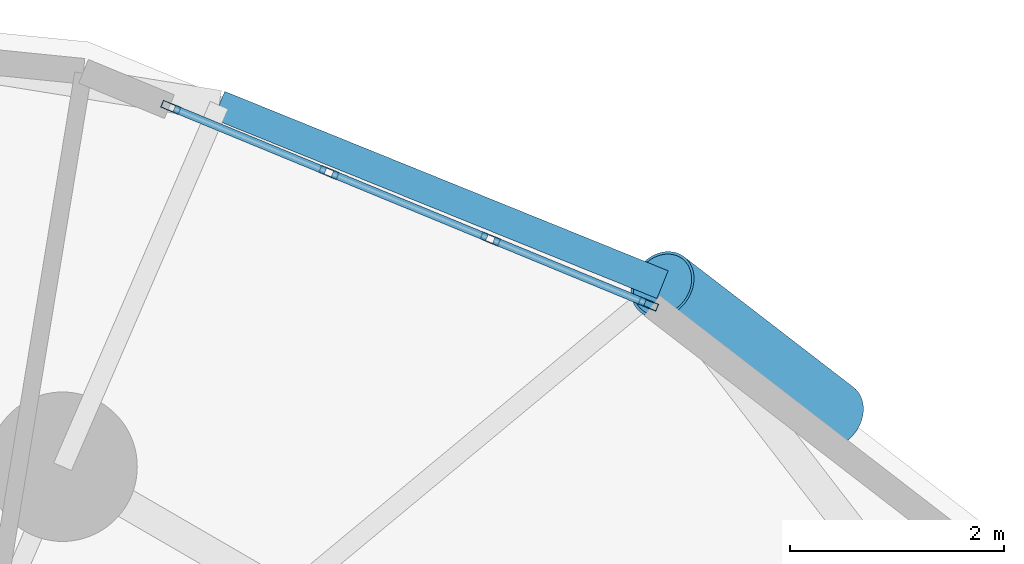
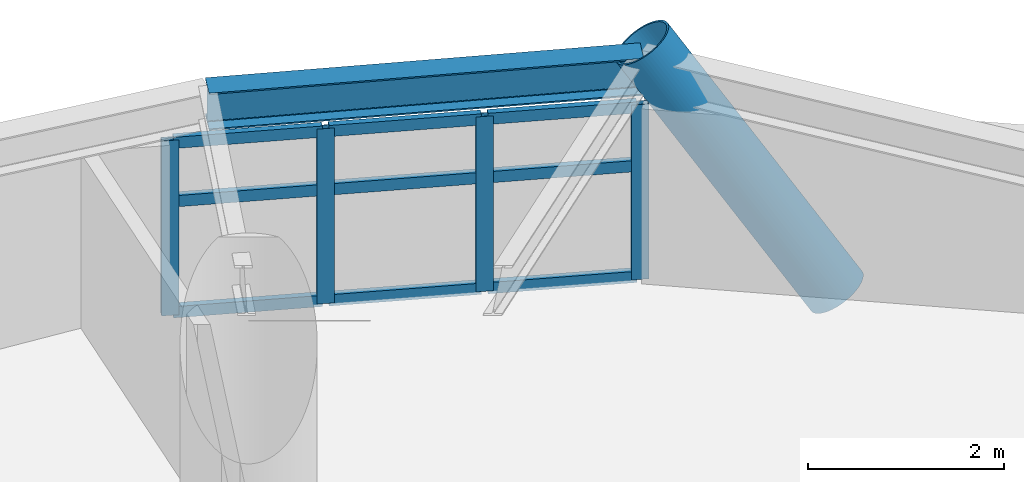
# One storey, part 7 of 17: 14 members, 1 beam, 1 element without a shape of its own.
"""IFC4 building model written with IfcOpenShell, lengths in metres."""

from ifc_helpers import new_model, si_unit, direction, frame, origin, origin_2d, place, context, subcontext, project, spatial, hollow_rectangle, hollow_circle, i_section, extrude, material, layer, layer_set, material_profile, profile_set, type_object, element, aggregate, save


model = new_model("IFC4")

# Units and contexts
model_context = context("Model", 3, precision=1e-05, world=origin(), true_north=direction((0.0, 1.0)))
body_context = subcontext(model_context, "Body", "Model", "MODEL_VIEW")
ifc_project = project(units=[si_unit("LENGTHUNIT", "METRE"), si_unit("AREAUNIT", "SQUARE_METRE"), si_unit("VOLUMEUNIT", "CUBIC_METRE"), si_unit("PLANEANGLEUNIT", "RADIAN"), si_unit("MASSUNIT", "GRAM", prefix="KILO")], contexts=[model_context])

# Site, building, storey
site_placement = place(None, origin())
site = spatial("IfcSite", under=ifc_project, at=site_placement, CompositionType="ELEMENT")
building_placement = place(site_placement, origin())
building = spatial("IfcBuilding", under=site, at=building_placement, Name="Cununo Teusaquillo Station Towers", CompositionType="ELEMENT")
storey_placement = place(building_placement, frame((0.0, 0.0, 81.7900390625)))
storey = spatial("IfcBuildingStorey", under=building, at=storey_placement, Name="L25", CompositionType="ELEMENT", Elevation=81.7900390625)

# Beam
ifc_material_1 = material(Name="Steel ASTM A572 Grade 50", Category="steel")
ifc_material_profile_1 = material_profile(ifc_material_1, i_section(OverallWidth=0.280029296875, OverallDepth=0.462890625, WebThickness=0.0107421875, FlangeThickness=0.017333984375, FilletRadius=0.013916015625, at=origin_2d()), Name="W18X76")
ifc_profile_set_1 = profile_set([ifc_material_profile_1], Name="Steel ASTM A572 Grade 50")
beam_type = type_object("IfcBeamType", Name="BM-RING-Z2", PredefinedType="SPANDREL", material=ifc_profile_set_1)
beam_placement = place(storey_placement, frame((63.9111328125, 39.341064453125, 2.4384765625), z_axis=(-0.927007712072, 0.375042266631, 0.0), x_axis=(-0.375042266631, -0.927007712072, 0.0)))
element("IfcBeam", 1, at=beam_placement, inside=storey, type_object=beam_type, Name="L25 Tower B Spandrel Ring Beam 02", PredefinedType="SPANDREL", context=body_context, shape_type="SweptSolid", body=[
    extrude(i_section(OverallWidth=0.280029296875, OverallDepth=0.462890625, WebThickness=0.0107421875, FlangeThickness=0.017333984375, FilletRadius=0.013916015625, at=origin_2d()), origin(), (0.0, 0.0, 1.0), 4.480712890625),
])

# Curtain wall, members
ifc_material_2 = material(Name="Ceramic-fritted dark low-E double glazing", Category="glass")
ifc_layer = layer(ifc_material_2, 0.179931640625)
ifc_layer_set = layer_set([ifc_layer], Name="Ceramic-fritted dark low-E double glazing")
curtain_wall_type = type_object("IfcCurtainWallType", Name="CW-SYS-04", PredefinedType="USERDEFINED", material=ifc_layer_set)
curtain_wall_placement = place(storey_placement, origin())
curtain_wall = element("IfcCurtainWall", 2, at=curtain_wall_placement, inside=storey, type_object=curtain_wall_type, Name="L25 Tower B Facade Curtain Wall C01", ObjectType="FRITTED GLAZING", PredefinedType="USERDEFINED")
ifc_material_3 = material(Name="Anodised dark bronze aluminium EN AW-6063-T6", Category="aluminium")
ifc_material_profile_2 = material_profile(ifc_material_3, hollow_rectangle(XDim=0.070068359375, YDim=0.179931640625, WallThickness=0.00390625, at=origin_2d()), Name="CW-MULL-70x180")
ifc_profile_set_2 = profile_set([ifc_material_profile_2], Name="Anodised dark bronze aluminium EN AW-6063-T6")
member_type_1 = type_object("IfcMemberType", Name="CWM-180", PredefinedType="MULLION", material=ifc_profile_set_2)
member_1_placement = place(storey_placement, frame((59.3056640625, 41.001953125, 0.0), z_axis=(0.0, 0.0, 1.0), x_axis=(0.381030560176, 0.924562443652, 0.0)))
member_1 = element("IfcMember", 3, at=member_1_placement, type_object=member_type_1, Name="CW-04 mullion 1", PredefinedType="MULLION", context=body_context, shape_type="SweptSolid", body=[
    extrude(hollow_rectangle(XDim=0.070068359375, YDim=0.179931640625, WallThickness=0.00390625, at=origin_2d()), origin(), (0.0, 0.0, 1.0), 2.178955078125),
])
member_2_placement = place(storey_placement, frame((60.785888671875, 40.39208984375, 0.0), z_axis=(0.0, 0.0, 1.0), x_axis=(0.381030560176, 0.924562443652, 0.0)))
member_2 = element("IfcMember", 4, at=member_2_placement, type_object=member_type_1, Name="CW-04 mullion 2", PredefinedType="MULLION", context=body_context, shape_type="SweptSolid", body=[
    extrude(hollow_rectangle(XDim=0.070068359375, YDim=0.179931640625, WallThickness=0.00390625, at=origin_2d()), origin(), (0.0, 0.0, 1.0), 2.178955078125),
])
member_3_placement = place(storey_placement, frame((62.298583984375, 39.7685546875, 0.0), z_axis=(0.0, 0.0, 1.0), x_axis=(0.381030560176, 0.924562443652, 0.0)))
member_3 = element("IfcMember", 5, at=member_3_placement, type_object=member_type_1, Name="CW-04 mullion 3", PredefinedType="MULLION", context=body_context, shape_type="SweptSolid", body=[
    extrude(hollow_rectangle(XDim=0.070068359375, YDim=0.179931640625, WallThickness=0.00390625, at=origin_2d()), origin(), (0.0, 0.0, 1.0), 2.178955078125),
])
member_4_placement = place(storey_placement, frame((63.77880859375, 39.158447265625, 0.0), z_axis=(0.0, 0.0, 1.0), x_axis=(0.381030560176, 0.924562443652, 0.0)))
member_4 = element("IfcMember", 6, at=member_4_placement, type_object=member_type_1, Name="CW-04 mullion 4", PredefinedType="MULLION", context=body_context, shape_type="SweptSolid", body=[
    extrude(hollow_rectangle(XDim=0.070068359375, YDim=0.179931640625, WallThickness=0.00390625, at=origin_2d()), origin(), (0.0, 0.0, 1.0), 2.178955078125),
])
ifc_material_4 = material(Name="Anodised dark bronze aluminium EN AW-6063-T6", Category="aluminium")
ifc_material_profile_3 = material_profile(ifc_material_4, hollow_rectangle(XDim=0.070068359375, YDim=0.139892578125, WallThickness=0.00390625, at=origin_2d()), Name="CW-TRAN-70x140")
ifc_profile_set_3 = profile_set([ifc_material_profile_3], Name="Anodised dark bronze aluminium EN AW-6063-T6")
member_type_2 = type_object("IfcMemberType", Name="CWT-140", PredefinedType="USERDEFINED", material=ifc_profile_set_3)
member_5_placement = place(storey_placement, frame((59.337890625, 40.98876953125, 0.034912109375), z_axis=(0.924532726965, -0.381102659097, 0.0), x_axis=(0.381102659097, 0.924532726965, 0.0)))
member_5 = element("IfcMember", 7, at=member_5_placement, type_object=member_type_2, Name="CW-04 transom 1.1", ObjectType="TRANSOM", PredefinedType="USERDEFINED", context=body_context, shape_type="SweptSolid", body=[
    extrude(hollow_rectangle(XDim=0.070068359375, YDim=0.139892578125, WallThickness=0.00390625, at=origin_2d()), origin(), (0.0, 0.0, 1.0), 1.531005859375),
])
member_6_placement = place(storey_placement, frame((59.337890625, 40.98876953125, 1.416015625), z_axis=(0.924532726965, -0.381102659097, 0.0), x_axis=(0.381102659097, 0.924532726965, 0.0)))
member_6 = element("IfcMember", 8, at=member_6_placement, type_object=member_type_2, Name="CW-04 transom 1.2", ObjectType="TRANSOM", PredefinedType="USERDEFINED", context=body_context, shape_type="SweptSolid", body=[
    extrude(hollow_rectangle(XDim=0.070068359375, YDim=0.139892578125, WallThickness=0.00390625, at=origin_2d()), origin(), (0.0, 0.0, 1.0), 1.531005859375),
])
member_7_placement = place(storey_placement, frame((59.337890625, 40.98876953125, 2.14404296875), z_axis=(0.924532726965, -0.381102659097, 0.0), x_axis=(0.381102659097, 0.924532726965, 0.0)))
member_7 = element("IfcMember", 9, at=member_7_placement, type_object=member_type_2, Name="CW-04 transom 1.3", ObjectType="TRANSOM", PredefinedType="USERDEFINED", context=body_context, shape_type="SweptSolid", body=[
    extrude(hollow_rectangle(XDim=0.070068359375, YDim=0.139892578125, WallThickness=0.00390625, at=origin_2d()), origin(), (0.0, 0.0, 1.0), 1.531005859375),
])
member_8_placement = place(storey_placement, frame((60.818115234375, 40.378662109375, 0.034912109375), z_axis=(0.924577983912, -0.380992849887, 0.0), x_axis=(0.380992849887, 0.924577983912, 0.0)))
member_8 = element("IfcMember", 10, at=member_8_placement, type_object=member_type_2, Name="CW-04 transom 2.1", ObjectType="TRANSOM", PredefinedType="USERDEFINED", context=body_context, shape_type="SweptSolid", body=[
    extrude(hollow_rectangle(XDim=0.070068359375, YDim=0.139892578125, WallThickness=0.00390625, at=origin_2d()), origin(), (0.0, 0.0, 1.0), 1.566162109375),
])
member_9_placement = place(storey_placement, frame((60.818115234375, 40.378662109375, 1.416015625), z_axis=(0.924577983912, -0.380992849887, 0.0), x_axis=(0.380992849887, 0.924577983912, 0.0)))
member_9 = element("IfcMember", 11, at=member_9_placement, type_object=member_type_2, Name="CW-04 transom 2.2", ObjectType="TRANSOM", PredefinedType="USERDEFINED", context=body_context, shape_type="SweptSolid", body=[
    extrude(hollow_rectangle(XDim=0.070068359375, YDim=0.139892578125, WallThickness=0.00390625, at=origin_2d()), origin(), (0.0, 0.0, 1.0), 1.566162109375),
])
member_10_placement = place(storey_placement, frame((60.818115234375, 40.378662109375, 2.14404296875), z_axis=(0.924577983912, -0.380992849887, 0.0), x_axis=(0.380992849887, 0.924577983912, 0.0)))
member_10 = element("IfcMember", 12, at=member_10_placement, type_object=member_type_2, Name="CW-04 transom 2.3", ObjectType="TRANSOM", PredefinedType="USERDEFINED", context=body_context, shape_type="SweptSolid", body=[
    extrude(hollow_rectangle(XDim=0.070068359375, YDim=0.139892578125, WallThickness=0.00390625, at=origin_2d()), origin(), (0.0, 0.0, 1.0), 1.566162109375),
])
member_11_placement = place(storey_placement, frame((62.330810546875, 39.75537109375, 0.034912109375), z_axis=(0.924555881283, -0.381046483233, 0.0), x_axis=(0.381046483233, 0.924555881283, 0.0)))
member_11 = element("IfcMember", 13, at=member_11_placement, type_object=member_type_2, Name="CW-04 transom 3.1", ObjectType="TRANSOM", PredefinedType="USERDEFINED", context=body_context, shape_type="SweptSolid", body=[
    extrude(hollow_rectangle(XDim=0.070068359375, YDim=0.139892578125, WallThickness=0.00390625, at=origin_2d()), origin(), (0.0, 0.0, 1.0), 1.53125),
])
member_12_placement = place(storey_placement, frame((62.330810546875, 39.75537109375, 1.416015625), z_axis=(0.924555881283, -0.381046483233, 0.0), x_axis=(0.381046483233, 0.924555881283, 0.0)))
member_12 = element("IfcMember", 14, at=member_12_placement, type_object=member_type_2, Name="CW-04 transom 3.2", ObjectType="TRANSOM", PredefinedType="USERDEFINED", context=body_context, shape_type="SweptSolid", body=[
    extrude(hollow_rectangle(XDim=0.070068359375, YDim=0.139892578125, WallThickness=0.00390625, at=origin_2d()), origin(), (0.0, 0.0, 1.0), 1.53125),
])
member_13_placement = place(storey_placement, frame((62.330810546875, 39.75537109375, 2.14404296875), z_axis=(0.924555881283, -0.381046483233, 0.0), x_axis=(0.381046483233, 0.924555881283, 0.0)))
member_13 = element("IfcMember", 15, at=member_13_placement, type_object=member_type_2, Name="CW-04 transom 3.3", ObjectType="TRANSOM", PredefinedType="USERDEFINED", context=body_context, shape_type="SweptSolid", body=[
    extrude(hollow_rectangle(XDim=0.070068359375, YDim=0.139892578125, WallThickness=0.00390625, at=origin_2d()), origin(), (0.0, 0.0, 1.0), 1.53125),
])
aggregate(curtain_wall, [member_1, member_2, member_3, member_4, member_5, member_6, member_7, member_8, member_9, member_10, member_11, member_12, member_13])

# Member
ifc_material_5 = material(Name="Steel EN 10025-2 S355J2", Category="steel")
ifc_material_profile_4 = material_profile(ifc_material_5, hollow_circle(Radius=0.330078125, WallThickness=0.02490234375, at=origin_2d()), Name="CHS 660x25")
ifc_profile_set_4 = profile_set([ifc_material_profile_4], Name="Steel EN 10025-2 S355J2")
member_type_3 = type_object("IfcMemberType", Name="MBR-DIAG-Z2", PredefinedType="BRACE", material=ifc_profile_set_4)
member_14_placement = place(storey_placement, frame((65.498291015625, 38.118408203125, -0.14013671875), z_axis=(-0.44922226618, 0.346055239045, 0.823677805394), x_axis=(-0.610264182076, -0.792197972779, 0.0)))
element("IfcMember", 16, at=member_14_placement, inside=storey, type_object=member_type_3, Name="L25 Tower B Folded-Zigzag Diagrid Tube C00", PredefinedType="BRACE", context=body_context, shape_type="SweptSolid", body=[
    extrude(hollow_circle(Radius=0.330078125, WallThickness=0.02490234375, at=origin_2d()), origin(), (0.0, 0.0, 1.0), 3.533203125),
])

save(model, "model.ifc")
